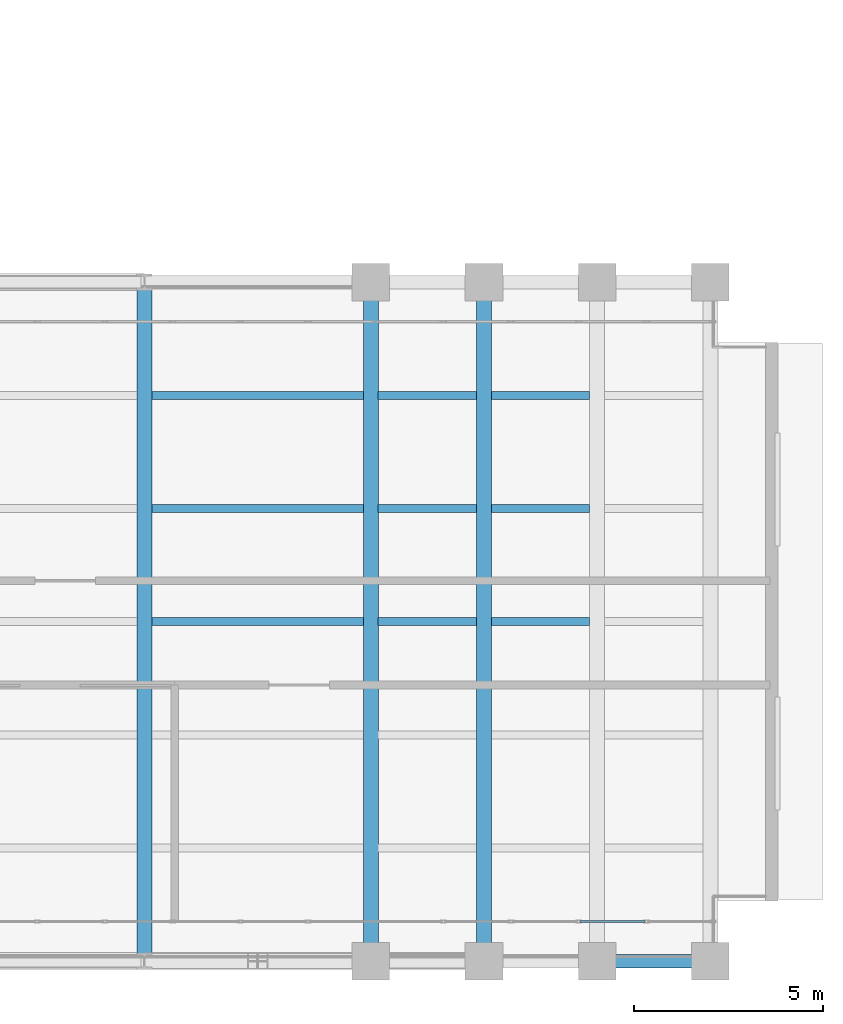
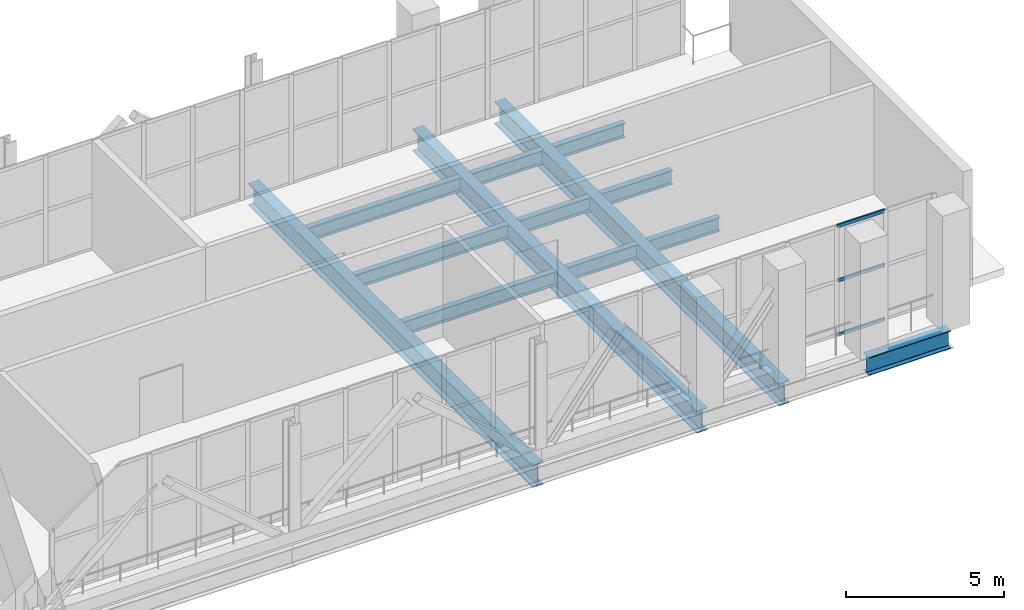
# One storey, part 14 of 27: 13 beams, 3 members, 1 element without a shape of its own.
"""IFC4 building model written with IfcOpenShell, lengths in metres."""

from ifc_helpers import new_model, si_unit, direction, frame, origin, origin_2d, place, context, subcontext, project, spatial, hollow_rectangle, i_section, extrude, material, layer, layer_set, material_profile, profile_set, type_object, element, aggregate, save


model = new_model("IFC4")

# Units and contexts
model_context = context("Model", 3, precision=1e-05, world=origin(), true_north=direction((0.0, 1.0)))
body_context = subcontext(model_context, "Body", "Model", "MODEL_VIEW")
ifc_project = project(units=[si_unit("LENGTHUNIT", "METRE"), si_unit("AREAUNIT", "SQUARE_METRE"), si_unit("VOLUMEUNIT", "CUBIC_METRE"), si_unit("PLANEANGLEUNIT", "RADIAN"), si_unit("MASSUNIT", "GRAM", prefix="KILO")], contexts=[model_context])

# Site, building, storey
site_placement = place(None, origin())
site = spatial("IfcSite", under=ifc_project, at=site_placement, CompositionType="ELEMENT")
building_placement = place(site_placement, origin())
building = spatial("IfcBuilding", under=site, at=building_placement, Name="Mawjdan Bourse Tower", CompositionType="ELEMENT")
storey_placement = place(building_placement, frame((0.0, 0.0, 155.699951171875)))
storey = spatial("IfcBuildingStorey", under=building, at=storey_placement, Name="L37", CompositionType="ELEMENT", Elevation=155.699951171875)

# Beams
ifc_material_1 = material(Name="Structural Steel S355", Category="steel")
ifc_material_profile_1 = material_profile(ifc_material_1, i_section(OverallWidth=0.39892578125, OverallDepth=0.85595703125, WebThickness=0.018310546875, FlangeThickness=0.029296875, FilletRadius=0.0234375, at=origin_2d()), Name="W33X201")
ifc_profile_set_1 = profile_set([ifc_material_profile_1], Name="Structural Steel S355")
beam_type_1 = type_object("IfcBeamType", Name="GRD-W33X201", PredefinedType="BEAM", material=ifc_profile_set_1)
for number, where, z_axis, x_axis, name in (
    (1, (42.0, 3.0, -0.7080078125), (0.0, 1.0, 0.0), (-1.0, 0.0, 0.0), "L37 East Wing Clear-Span Girder 003"),
    (2, (48.0, 3.0, -0.7080078125), (0.0, 1.0, 0.0), (-1.0, 0.0, 0.0), "L37 East Wing Clear-Span Girder 004"),
    (3, (51.0, 3.0, -0.7080078125), (0.0, 1.0, 0.0), (-1.0, 0.0, 0.0), "L37 East Wing Clear-Span Girder 005"),
):
    element("IfcBeam", number, at=place(storey_placement, frame(where, z_axis=z_axis, x_axis=x_axis)), inside=storey, type_object=beam_type_1, Name=name, PredefinedType="BEAM", context=body_context, shape_type="SweptSolid", body=[
        extrude(i_section(OverallWidth=0.39892578125, OverallDepth=0.85595703125, WebThickness=0.018310546875, FlangeThickness=0.029296875, FilletRadius=0.0234375, at=origin_2d()), origin(), (0.0, 0.0, 1.0), 18.0),
    ])
ifc_material_profile_2 = material_profile(ifc_material_1, i_section(OverallWidth=0.2119140625, OverallDepth=0.5439453125, WebThickness=0.01318359375, FlangeThickness=0.021240234375, FilletRadius=0.01708984375, at=origin_2d()), Name="W21X83")
ifc_profile_set_2 = profile_set([ifc_material_profile_2], Name="Structural Steel S355")
beam_type_2 = type_object("IfcBeamType", Name="JST-W21X83", PredefinedType="JOIST", material=ifc_profile_set_2)
beam_1_placement = place(storey_placement, frame((42.197509765625, 12.0, -0.552001953125), z_axis=(1.0, 0.0, 0.0), x_axis=(0.0, 1.0, 0.0)))
element("IfcBeam", 4, at=beam_1_placement, inside=storey, type_object=beam_type_2, Name="L37 East Wing Composite Joist 034", PredefinedType="JOIST", context=body_context, shape_type="SweptSolid", body=[
    extrude(i_section(OverallWidth=0.2119140625, OverallDepth=0.5439453125, WebThickness=0.01318359375, FlangeThickness=0.021240234375, FilletRadius=0.01708984375, at=origin_2d()), origin(), (0.0, 0.0, 1.0), 5.60498046875),
])
for number, where, z_axis, x_axis, name in (
    (5, (48.197509765625, 12.0, -0.552001953125), (1.0, 0.0, 0.0), (0.0, 1.0, 0.0), "L37 East Wing Composite Joist 035"),
    (6, (51.197509765625, 12.0, -0.552001953125), (1.0, 0.0, 0.0), (0.0, 1.0, 0.0), "L37 East Wing Composite Joist 036"),
):
    element("IfcBeam", number, at=place(storey_placement, frame(where, z_axis=z_axis, x_axis=x_axis)), inside=storey, type_object=beam_type_2, Name=name, PredefinedType="JOIST", context=body_context, shape_type="SweptSolid", body=[
        extrude(i_section(OverallWidth=0.2119140625, OverallDepth=0.5439453125, WebThickness=0.01318359375, FlangeThickness=0.021240234375, FilletRadius=0.01708984375, at=origin_2d()), origin(), (0.0, 0.0, 1.0), 2.60498046875),
    ])
beam_2_placement = place(storey_placement, frame((42.197509765625, 15.0, -0.552001953125), z_axis=(1.0, 0.0, 0.0), x_axis=(0.0, 1.0, 0.0)))
element("IfcBeam", 7, at=beam_2_placement, inside=storey, type_object=beam_type_2, Name="L37 East Wing Composite Joist 040", PredefinedType="JOIST", context=body_context, shape_type="SweptSolid", body=[
    extrude(i_section(OverallWidth=0.2119140625, OverallDepth=0.5439453125, WebThickness=0.01318359375, FlangeThickness=0.021240234375, FilletRadius=0.01708984375, at=origin_2d()), origin(), (0.0, 0.0, 1.0), 5.60498046875),
])
for number, where, z_axis, x_axis, name in (
    (8, (48.197509765625, 15.0, -0.552001953125), (1.0, 0.0, 0.0), (0.0, 1.0, 0.0), "L37 East Wing Composite Joist 041"),
    (9, (51.197509765625, 15.0, -0.552001953125), (1.0, 0.0, 0.0), (0.0, 1.0, 0.0), "L37 East Wing Composite Joist 042"),
):
    element("IfcBeam", number, at=place(storey_placement, frame(where, z_axis=z_axis, x_axis=x_axis)), inside=storey, type_object=beam_type_2, Name=name, PredefinedType="JOIST", context=body_context, shape_type="SweptSolid", body=[
        extrude(i_section(OverallWidth=0.2119140625, OverallDepth=0.5439453125, WebThickness=0.01318359375, FlangeThickness=0.021240234375, FilletRadius=0.01708984375, at=origin_2d()), origin(), (0.0, 0.0, 1.0), 2.60498046875),
    ])
beam_3_placement = place(storey_placement, frame((42.197509765625, 18.0, -0.552001953125), z_axis=(1.0, 0.0, 0.0), x_axis=(0.0, 1.0, 0.0)))
element("IfcBeam", 10, at=beam_3_placement, inside=storey, type_object=beam_type_2, Name="L37 East Wing Composite Joist 046", PredefinedType="JOIST", context=body_context, shape_type="SweptSolid", body=[
    extrude(i_section(OverallWidth=0.2119140625, OverallDepth=0.5439453125, WebThickness=0.01318359375, FlangeThickness=0.021240234375, FilletRadius=0.01708984375, at=origin_2d()), origin(), (0.0, 0.0, 1.0), 5.60498046875),
])
for number, where, z_axis, x_axis, name in (
    (11, (48.197509765625, 18.0, -0.552001953125), (1.0, 0.0, 0.0), (0.0, 1.0, 0.0), "L37 East Wing Composite Joist 047"),
    (12, (51.197509765625, 18.0, -0.552001953125), (1.0, 0.0, 0.0), (0.0, 1.0, 0.0), "L37 East Wing Composite Joist 048"),
):
    element("IfcBeam", number, at=place(storey_placement, frame(where, z_axis=z_axis, x_axis=x_axis)), inside=storey, type_object=beam_type_2, Name=name, PredefinedType="JOIST", context=body_context, shape_type="SweptSolid", body=[
        extrude(i_section(OverallWidth=0.2119140625, OverallDepth=0.5439453125, WebThickness=0.01318359375, FlangeThickness=0.021240234375, FilletRadius=0.01708984375, at=origin_2d()), origin(), (0.0, 0.0, 1.0), 2.60498046875),
    ])
ifc_material_profile_3 = material_profile(ifc_material_1, i_section(OverallWidth=0.35498046875, OverallDepth=0.696044921875, WebThickness=0.015380859375, FlangeThickness=0.02490234375, FilletRadius=0.019775390625, at=origin_2d()), Name="W27X146")
ifc_profile_set_3 = profile_set([ifc_material_profile_3], Name="Structural Steel S355")
beam_type_3 = type_object("IfcBeamType", Name="SPN-W27X146", PredefinedType="SPANDREL", material=ifc_profile_set_3)
beam_4_placement = place(storey_placement, frame((54.0, 3.0, -0.6279296875), z_axis=(1.0, 0.0, 0.0), x_axis=(0.0, 1.0, 0.0)))
element("IfcBeam", 13, at=beam_4_placement, inside=storey, type_object=beam_type_3, Name="L37 Perimeter Masonry-Shelf Spandrel 013", PredefinedType="SPANDREL", context=body_context, shape_type="SweptSolid", body=[
    extrude(i_section(OverallWidth=0.35498046875, OverallDepth=0.696044921875, WebThickness=0.015380859375, FlangeThickness=0.02490234375, FilletRadius=0.019775390625, at=origin_2d()), origin(), (0.0, 0.0, 1.0), 3.0),
])

# Curtain wall, members
ifc_material_2 = material(Name="Thermally Broken Aluminium and Solar Glass", Category="aluminium")
ifc_layer = layer(ifc_material_2, 0.219970703125)
ifc_layer_set = layer_set([ifc_layer], Name="Thermally Broken Aluminium and Solar Glass")
curtain_wall_type = type_object("IfcCurtainWallType", Name="CW-RFG", PredefinedType="USERDEFINED", material=ifc_layer_set)
curtain_wall_placement = place(storey_placement, origin())
curtain_wall = element("IfcCurtainWall", 14, at=curtain_wall_placement, inside=storey, type_object=curtain_wall_type, Name="L37 Refuge Band South Louvre Curtain Wall", ObjectType="REFUGE BAND LOUVRE SCREEN", PredefinedType="USERDEFINED")
ifc_material_3 = material(Name="Thermally Broken Anodised Aluminium", Category="aluminium")
ifc_material_profile_4 = material_profile(ifc_material_3, hollow_rectangle(XDim=0.054931640625, YDim=0.1298828125, WallThickness=0.00341796875, at=origin_2d()), Name="ALU-TRN-130X55")
ifc_profile_set_4 = profile_set([ifc_material_profile_4], Name="Thermally Broken Anodised Aluminium")
member_type = type_object("IfcMemberType", Name="TRN-ALU-TRN-130X55", PredefinedType="USERDEFINED", material=ifc_profile_set_4)
member_1_placement = place(storey_placement, frame((53.543701171875, 4.050048828125, 0.027587890625), z_axis=(1.0, 0.0, 0.0), x_axis=(0.0, 1.0, 0.0)))
member_1 = element("IfcMember", 15, at=member_1_placement, type_object=member_type, Name="CW-RFG-L37-RFG-S transom 17.1", ObjectType="TRANSOM", PredefinedType="USERDEFINED", context=body_context, shape_type="SweptSolid", body=[
    extrude(hollow_rectangle(XDim=0.054931640625, YDim=0.1298828125, WallThickness=0.00341796875, at=origin_2d()), origin(), (0.0, 0.0, 1.0), 1.729248046875),
])
member_2_placement = place(storey_placement, frame((53.543701171875, 4.050048828125, 2.125), z_axis=(1.0, 0.0, 0.0), x_axis=(0.0, 1.0, 0.0)))
member_2 = element("IfcMember", 16, at=member_2_placement, type_object=member_type, Name="CW-RFG-L37-RFG-S transom 17.2", ObjectType="TRANSOM", PredefinedType="USERDEFINED", context=body_context, shape_type="SweptSolid", body=[
    extrude(hollow_rectangle(XDim=0.054931640625, YDim=0.1298828125, WallThickness=0.00341796875, at=origin_2d()), origin(), (0.0, 0.0, 1.0), 1.729248046875),
])
member_3_placement = place(storey_placement, frame((53.543701171875, 4.050048828125, 4.22265625), z_axis=(1.0, 0.0, 0.0), x_axis=(0.0, 1.0, 0.0)))
member_3 = element("IfcMember", 17, at=member_3_placement, type_object=member_type, Name="CW-RFG-L37-RFG-S transom 17.3", ObjectType="TRANSOM", PredefinedType="USERDEFINED", context=body_context, shape_type="SweptSolid", body=[
    extrude(hollow_rectangle(XDim=0.054931640625, YDim=0.1298828125, WallThickness=0.00341796875, at=origin_2d()), origin(), (0.0, 0.0, 1.0), 1.729248046875),
])
aggregate(curtain_wall, [member_1, member_2, member_3])

save(model, "model.ifc")
